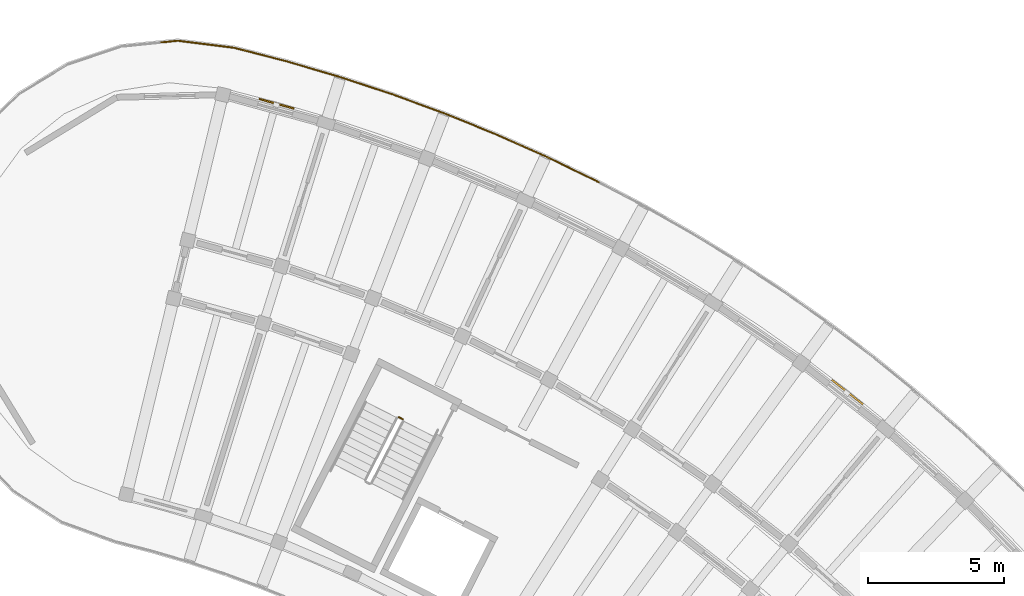
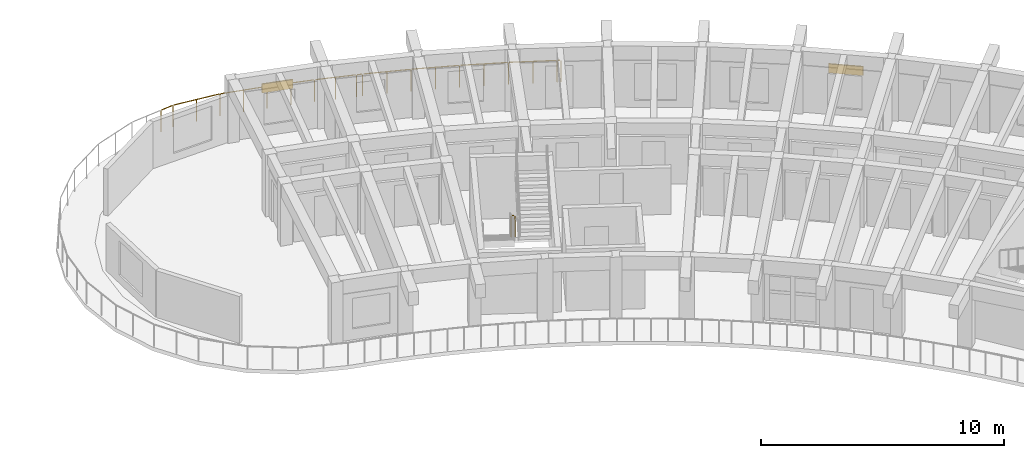
# One storey, part 40 of 41: 3 railings, 2 shading devices.
"""IFC4 building model written with IfcOpenShell, lengths in metres."""

from ifc_helpers import new_model, si_unit, direction, frame, origin, origin_2d, place, context, subcontext, project, spatial, rectangle, circle, extrude, material, layer, layer_set, type_object, element, save


model = new_model("IFC4")

# Units and contexts
model_context = context("Model", 3, precision=1e-05, world=origin(), true_north=direction((0.0, 1.0)))
body_context = subcontext(model_context, "Body", "Model", "MODEL_VIEW")
ifc_project = project(units=[si_unit("LENGTHUNIT", "METRE"), si_unit("AREAUNIT", "SQUARE_METRE"), si_unit("VOLUMEUNIT", "CUBIC_METRE"), si_unit("PLANEANGLEUNIT", "RADIAN"), si_unit("MASSUNIT", "GRAM", prefix="KILO")], contexts=[model_context])

# Site, building, storey
site_placement = place(None, origin())
site = spatial("IfcSite", under=ifc_project, at=site_placement, CompositionType="ELEMENT")
building_placement = place(site_placement, origin())
building = spatial("IfcBuilding", under=site, at=building_placement, Name="Tanwirah Colonnade Gardens", CompositionType="ELEMENT")
storey_placement = place(building_placement, frame((0.0, 0.0, 35.719970703125)))
storey = spatial("IfcBuildingStorey", under=building, at=storey_placement, Name="L10", CompositionType="ELEMENT", Elevation=35.719970703125)

# Railings
ifc_material_1 = material(Name="Precast concrete C40/50", Category="concrete")
railing_type_1 = type_object("IfcRailingType", Name="BAL-EXT112", PredefinedType="BALUSTRADE", material=ifc_material_1)
railing_1_placement = place(storey_placement, frame((132.692626953125, 120.009033203125, 0.0)))
element("IfcRailing", 1, at=railing_1_placement, inside=storey, type_object=railing_type_1, Name="Block B L10 Balcony Ribbon Balustrade 9", PredefinedType="BALUSTRADE", context=body_context, shape_type="SweptSolid", body=[
    extrude(circle(Radius=0.02392578125, at=origin_2d()), frame((0.031005859375, 0.003173828125, 1.09619140625), z_axis=(0.994977787906, 0.100095961829, 0.0), x_axis=(-0.100095961829, 0.994977787906, 0.0)), (0.0, 0.0, 1.0), 0.549560546875),
    extrude(circle(Radius=0.02392578125, at=origin_2d()), frame((0.64013671875, 0.057373046875, 1.09619140625), z_axis=(0.99226709468, -0.124120960419, 0.0), x_axis=(0.124120960419, 0.99226709468, 0.0)), (0.0, 0.0, 1.0), 2.0283203125),
    extrude(circle(Radius=0.02392578125, at=origin_2d()), frame((2.714111328125, -0.2060546875, 1.09619140625), z_axis=(0.968153485753, -0.250357400578, 0.0), x_axis=(0.250357400578, 0.968153485753, 0.0)), (0.0, 0.0, 1.0), 1.955078125),
    extrude(circle(Radius=0.02392578125, at=origin_2d()), frame((4.667236328125, -0.712158203125, 1.09619140625), z_axis=(0.959371271211, -0.282146706477, 0.0), x_axis=(0.282146706477, 0.959371271211, 0.0)), (0.0, 0.0, 1.0), 1.958740234375),
    extrude(circle(Radius=0.02392578125, at=origin_2d()), frame((6.606201171875, -1.283447265625, 1.09619140625), z_axis=(0.949554640145, -0.313601634847, 0.0), x_axis=(0.313601634847, 0.949554640145, 0.0)), (0.0, 0.0, 1.0), 1.6953125),
    extrude(circle(Radius=0.02099609375, at=origin_2d()), origin(), (0.0, 0.0, 1.0), 1.069091796875),
    extrude(circle(Radius=0.02099609375, at=origin_2d()), frame((0.609130859375, 0.061279296875, 0.0)), (0.0, 0.0, 1.0), 1.069091796875),
    extrude(circle(Radius=0.02099609375, at=origin_2d()), frame((1.646484375, -0.068359375, 0.0)), (0.0, 0.0, 1.0), 1.069091796875),
    extrude(circle(Radius=0.02099609375, at=origin_2d()), frame((2.683837890625, -0.1982421875, 0.0)), (0.0, 0.0, 1.0), 1.069091796875),
    extrude(circle(Radius=0.02099609375, at=origin_2d()), frame((3.66064453125, -0.45068359375, 0.0)), (0.0, 0.0, 1.0), 1.069091796875),
    extrude(circle(Radius=0.02099609375, at=origin_2d()), frame((4.63720703125, -0.703369140625, 0.0)), (0.0, 0.0, 1.0), 1.069091796875),
    extrude(circle(Radius=0.02099609375, at=origin_2d()), frame((5.60693359375, -0.988525390625, 0.0)), (0.0, 0.0, 1.0), 1.069091796875),
    extrude(circle(Radius=0.02099609375, at=origin_2d()), frame((6.576416015625, -1.273681640625, 0.0)), (0.0, 0.0, 1.0), 1.069091796875),
    extrude(circle(Radius=0.02099609375, at=origin_2d()), frame((7.4111328125, -1.54931640625, 0.0)), (0.0, 0.0, 1.0), 1.069091796875),
    extrude(circle(Radius=0.02099609375, at=origin_2d()), frame((8.24560546875, -1.824951171875, 0.0)), (0.0, 0.0, 1.0), 1.069091796875),
])
railing_2_placement = place(storey_placement, frame((140.938232421875, 118.18408203125, 0.0)))
element("IfcRailing", 2, at=railing_2_placement, inside=storey, type_object=railing_type_1, Name="Block B L10 Balcony Ribbon Balustrade 10", PredefinedType="BALUSTRADE", context=body_context, shape_type="SweptSolid", body=[
    extrude(circle(Radius=0.02392578125, at=origin_2d()), frame((0.02978515625, -0.009765625, 1.09619140625), z_axis=(0.949421705505, -0.314003861626, 0.0), x_axis=(0.314003861626, 0.949421705505, 0.0)), (0.0, 0.0, 1.0), 0.201171875),
    extrude(circle(Radius=0.02392578125, at=origin_2d()), frame((0.279541015625, -0.093505859375, 1.09619140625), z_axis=(0.938723993457, -0.344669789956, 0.0), x_axis=(0.344669789956, 0.938723993457, 0.0)), (0.0, 0.0, 1.0), 1.958984375),
    extrude(circle(Radius=0.02392578125, at=origin_2d()), frame((2.177001953125, -0.791259765625, 1.09619140625), z_axis=(0.926784720453, -0.375592973757, 0.0), x_axis=(0.375592973757, 0.926784720453, 0.0)), (0.0, 0.0, 1.0), 1.958984375),
    extrude(circle(Radius=0.02392578125, at=origin_2d()), frame((4.050048828125, -1.551513671875, 1.09619140625), z_axis=(0.913950953394, -0.405824660156, 0.0), x_axis=(0.405824660156, 0.913950953394, 0.0)), (0.0, 0.0, 1.0), 1.958740234375),
    extrude(circle(Radius=0.02392578125, at=origin_2d()), frame((5.89697265625, -2.372802734375, 1.09619140625), z_axis=(0.900055350621, -0.435775591122, 0.0), x_axis=(0.435775591122, 0.900055350621, 0.0)), (0.0, 0.0, 1.0), 1.958740234375),
    extrude(circle(Radius=0.02392578125, at=origin_2d()), frame((7.7158203125, -3.25439453125, 1.09619140625), z_axis=(0.88551447072, -0.464611797252, 0.0), x_axis=(0.464611797252, 0.88551447072, 0.0)), (0.0, 0.0, 1.0), 0.08837890625),
    extrude(circle(Radius=0.02099609375, at=origin_2d()), origin(), (0.0, 0.0, 1.0), 1.069091796875),
    extrude(circle(Radius=0.02099609375, at=origin_2d()), frame((0.250244140625, -0.082763671875, 0.0)), (0.0, 0.0, 1.0), 1.069091796875),
    extrude(circle(Radius=0.02099609375, at=origin_2d()), frame((1.19921875, -0.43115234375, 0.0)), (0.0, 0.0, 1.0), 1.069091796875),
    extrude(circle(Radius=0.02099609375, at=origin_2d()), frame((2.14794921875, -0.779541015625, 0.0)), (0.0, 0.0, 1.0), 1.069091796875),
    extrude(circle(Radius=0.02099609375, at=origin_2d()), frame((3.084716796875, -1.1591796875, 0.0)), (0.0, 0.0, 1.0), 1.069091796875),
    extrude(circle(Radius=0.02099609375, at=origin_2d()), frame((4.021484375, -1.538818359375, 0.0)), (0.0, 0.0, 1.0), 1.069091796875),
    extrude(circle(Radius=0.02099609375, at=origin_2d()), frame((4.9453125, -1.948974609375, 0.0)), (0.0, 0.0, 1.0), 1.069091796875),
    extrude(circle(Radius=0.02099609375, at=origin_2d()), frame((5.868896484375, -2.359130859375, 0.0)), (0.0, 0.0, 1.0), 1.069091796875),
    extrude(circle(Radius=0.02099609375, at=origin_2d()), frame((6.778564453125, -2.799560546875, 0.0)), (0.0, 0.0, 1.0), 1.069091796875),
    extrude(circle(Radius=0.02099609375, at=origin_2d()), frame((7.688232421875, -3.239990234375, 0.0)), (0.0, 0.0, 1.0), 1.069091796875),
    extrude(circle(Radius=0.02099609375, at=origin_2d()), frame((7.82177734375, -3.31005859375, 0.0)), (0.0, 0.0, 1.0), 1.069091796875),
])
ifc_material_2 = material(Name="Powder-coated galvanized steel", Category="steel")
railing_type_2 = type_object("IfcRailingType", Name="GRD-ST110", PredefinedType="GUARDRAIL", material=ifc_material_2)
railing_3_placement = place(storey_placement, frame((141.412109375, 106.25244140625, 0.0)))
element("IfcRailing", 3, at=railing_3_placement, inside=storey, type_object=railing_type_2, Name="L10 ST-B2 stair guard 4", PredefinedType="GUARDRAIL", context=body_context, shape_type="SweptSolid", body=[
    extrude(circle(Radius=0.02392578125, at=origin_2d()), frame((0.02783203125, -0.01416015625, 1.076171875), z_axis=(0.891353773095, -0.453308340084, 0.0), x_axis=(0.453308340084, 0.891353773095, 0.0)), (0.0, 0.0, 1.0), 0.097412109375),
    extrude(circle(Radius=0.02099609375, at=origin_2d()), origin(), (0.0, 0.0, 1.0), 1.049072265625),
    extrude(circle(Radius=0.02099609375, at=origin_2d()), frame((0.142578125, -0.072509765625, 0.0)), (0.0, 0.0, 1.0), 1.049072265625),
])

# Shading devices
ifc_material_3 = material(Name="Perforated architectural bronze aluminium", Category="aluminium")
ifc_layer = layer(ifc_material_3, 0.050048828125)
ifc_layer_set = layer_set([ifc_layer], Name="Perforated architectural bronze aluminium")
shading_device_type = type_object("IfcShadingDeviceType", Name="SHD-OVH1", PredefinedType="SHUTTER", material=ifc_layer_set)
shading_device_1_placement = place(storey_placement, frame((157.8818359375, 107.173828125, 1.88525390625), z_axis=(0.0, 0.0, 1.0), x_axis=(-0.786815552397, 0.617188209954, 0.0)))
element("IfcShadingDevice", 4, at=shading_device_1_placement, inside=storey, type_object=shading_device_type, Name="Solar shading louver hood B-L10-09", PredefinedType="SHUTTER", context=body_context, shape_type="SweptSolid", body=[
    extrude(rectangle(XDim=1.449951171875, YDim=0.06005859375, at=origin_2d()), origin(), (0.0, 0.0, 1.0), 0.449951171875),
])
shading_device_2_placement = place(storey_placement, frame((136.930908203125, 117.7587890625, 1.97021484375), z_axis=(0.0, 0.0, 1.0), x_axis=(-0.963889235289, 0.266303477436, 0.0)))
element("IfcShadingDevice", 5, at=shading_device_2_placement, inside=storey, type_object=shading_device_type, Name="Solar shading louver hood B-L10-15", PredefinedType="SHUTTER", context=body_context, shape_type="SweptSolid", body=[
    extrude(rectangle(XDim=1.320068359375, YDim=0.06005859375, at=origin_2d()), origin(), (0.0, 0.0, 1.0), 0.449951171875),
])

save(model, "model.ifc")
